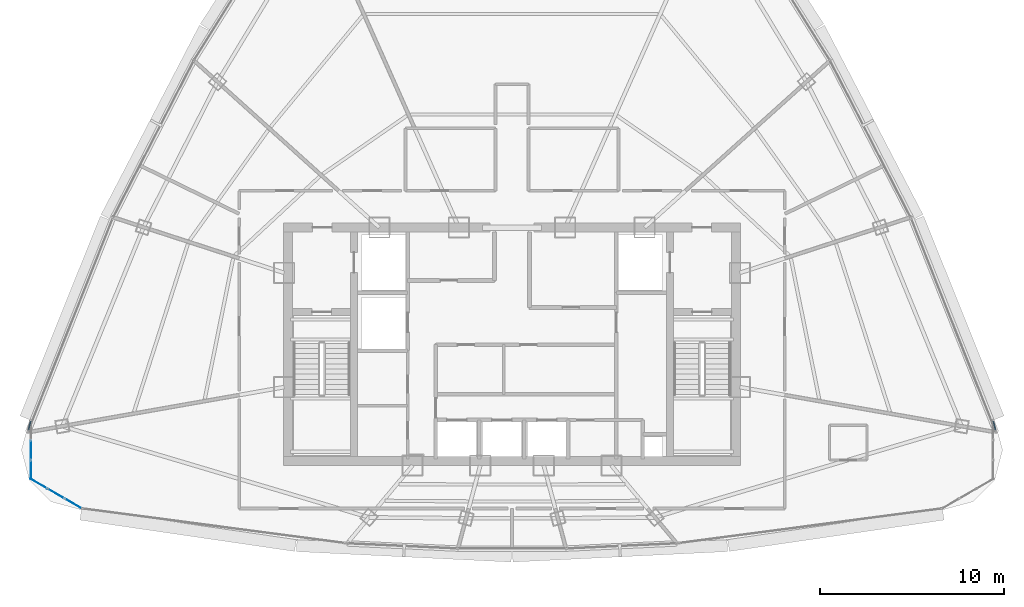
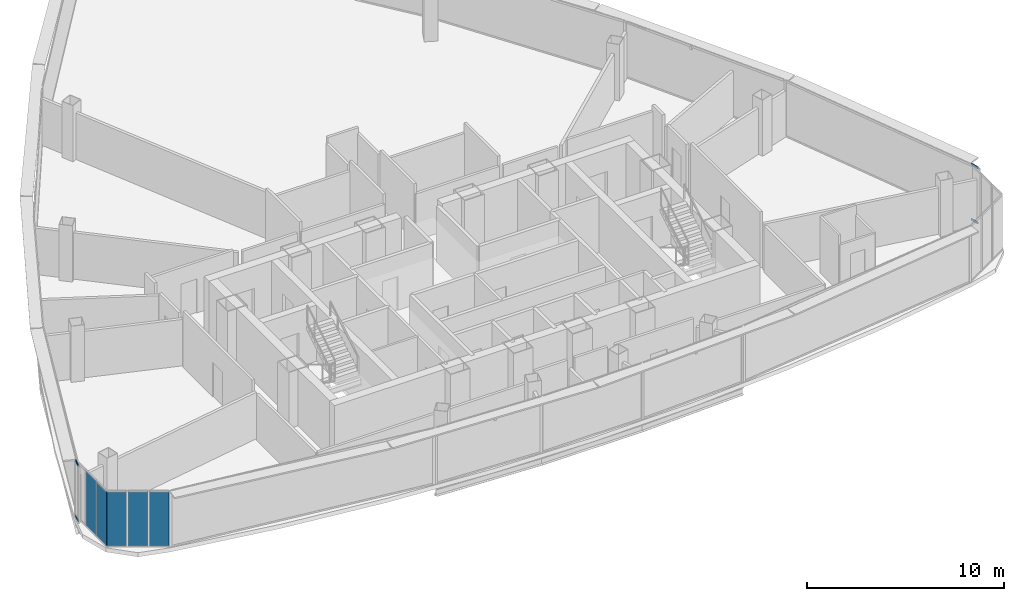
# One storey, part 20 of 29: 5 plates, 4 members, 4 elements without a shape of their own.
"""IFC4 building model written with IfcOpenShell, lengths in metres."""

import ifcopenshell
import ifcopenshell.guid

model = None  # the IFC model being written
_history = None  # IfcOwnerHistory: only IFC2X3 demands one
_inside = {}  # id of a spatial element -> (the spatial element, [elements in it])
_under = {}  # id of a project, library or spatial element -> (it, [spatial elements below it])
_declared = {}  # id of a project -> (the project, [libraries it declares])
_typed = {}  # id of a type object -> (the type object, [elements of that type])
_made_of = {}  # id of a material, layer set ... -> (it, [elements and type objects made of it])


def new_model(schema):
    """Start an empty IFC model of exactly this schema.

    Asked for "IFC4X3", IfcOpenShell would pick the latest addendum, in which some entities
    have other attributes; the version numbers below select the first issue.
    IFC2X3 requires an IfcOwnerHistory on every rooted entity: one is made here for all.
    """
    global model, _history
    if schema == "IFC4X3":
        model = ifcopenshell.file(schema_version=(4, 3, 0, 0))
    else:
        model = ifcopenshell.file(schema=schema)
    _inside.clear()
    _under.clear()
    _declared.clear()
    _typed.clear()
    _made_of.clear()
    _history = None
    if model.schema == "IFC2X3":
        org = make("IfcOrganization", Name="unknown")
        user = make(
            "IfcPersonAndOrganization",
            ThePerson=make("IfcPerson", FamilyName="unknown"),
            TheOrganization=org,
        )
        app = make(
            "IfcApplication",
            ApplicationDeveloper=org,
            Version="unknown",
            ApplicationFullName="unknown",
            ApplicationIdentifier="unknown",
        )
        _history = make(
            "IfcOwnerHistory",
            OwningUser=user,
            OwningApplication=app,
            ChangeAction="ADDED",
            CreationDate=0,
        )
    return model


def make(cls, **values):
    """One entity of the class cls with the attributes given. An attribute that is None is left unset."""
    return model.create_entity(
        cls, **{name: value for name, value in values.items() if value is not None}
    )


def rooted(cls, **values):
    """An entity with a GlobalId (a new one), such as an element, a storey or a relation."""
    return make(cls, GlobalId=ifcopenshell.guid.new(), OwnerHistory=_history, **values)


def si_unit(unit_type, name, prefix=None):
    """IfcSIUnit, for example si_unit("LENGTHUNIT", "METRE", prefix="MILLI")."""
    return make("IfcSIUnit", UnitType=unit_type, Prefix=prefix, Name=name)


def assignment(units):
    """IfcUnitAssignment: the units of a project."""
    return None if units is None else make("IfcUnitAssignment", Units=units)


def point(xyz):
    """IfcCartesianPoint."""
    return None if xyz is None else make("IfcCartesianPoint", Coordinates=xyz)


def direction(xyz):
    """IfcDirection."""
    return None if xyz is None else make("IfcDirection", DirectionRatios=xyz)


def frame(location, z_axis=None, x_axis=None):
    """IfcAxis2Placement3D, a coordinate frame: its origin and axes. An axis left out is left unset."""
    return make(
        "IfcAxis2Placement3D",
        Location=point(location),
        Axis=direction(z_axis),
        RefDirection=direction(x_axis),
    )


def frame_2d(location, x_axis=None):
    """IfcAxis2Placement2D, a coordinate frame in the plane: its origin and x axis."""
    return make(
        "IfcAxis2Placement2D", Location=point(location), RefDirection=direction(x_axis)
    )


def origin():
    """The frame at (0, 0, 0) with its axes left unset."""
    return frame((0.0, 0.0, 0.0))


def origin_2d():
    """The frame at (0, 0) in the plane with its x axis left unset."""
    return frame_2d((0.0, 0.0))


def place(relative_to, where):
    """IfcLocalPlacement: puts the frame where relative to a parent placement (None: the world)."""
    return make(
        "IfcLocalPlacement", PlacementRelTo=relative_to, RelativePlacement=where
    )


def context(
    kind, dimensions, precision=None, world=None, true_north=None, identifier=None
):
    """IfcGeometricRepresentationContext, for example the 3D "Model" context."""
    return make(
        "IfcGeometricRepresentationContext",
        ContextIdentifier=identifier,
        ContextType=kind,
        CoordinateSpaceDimension=dimensions,
        Precision=precision,
        WorldCoordinateSystem=world,
        TrueNorth=true_north,
    )


def subcontext(parent, identifier, kind, view, scale=None):
    """IfcGeometricRepresentationSubContext, for example "Body" below "Model"."""
    return make(
        "IfcGeometricRepresentationSubContext",
        ContextIdentifier=identifier,
        ContextType=kind,
        ParentContext=parent,
        TargetScale=scale,
        TargetView=view,
    )


def project(units=None, contexts=None):
    """IfcProject with its units and contexts."""
    return rooted(
        "IfcProject",
        Name="project",
        RepresentationContexts=contexts,
        UnitsInContext=assignment(units),
    )


def spatial(cls, under=None, at=None, **own):
    """A site, building, storey or space (cls), placed at a placement, below another one or the project."""
    s = rooted(cls, ObjectPlacement=at, **own)
    if under is not None:
        _under.setdefault(under.id(), (under, []))[1].append(s)
    return s


def profile(cls, at=None, kind="AREA", **sizes):
    """A parametric profile (cls). Its sizes go by their IFC names, for example OverallWidth=200.0."""
    return make(cls, ProfileType=kind, Position=at, **sizes)


def rectangle(**sizes):
    """IfcRectangleProfileDef."""
    return profile("IfcRectangleProfileDef", **sizes)


def hollow_rectangle(**sizes):
    """IfcRectangleHollowProfileDef."""
    return profile("IfcRectangleHollowProfileDef", **sizes)


def extrude(swept, where, along, depth):
    """IfcExtrudedAreaSolid: the profile swept, set in the frame where, extruded along a direction by depth."""
    return make(
        "IfcExtrudedAreaSolid",
        SweptArea=swept,
        Position=where,
        ExtrudedDirection=direction(along),
        Depth=depth,
    )


def shape(context_of_items, identifier, shape_type, items):
    """IfcShapeRepresentation: the items that make up one representation, for example the "Body"."""
    return make(
        "IfcShapeRepresentation",
        ContextOfItems=context_of_items,
        RepresentationIdentifier=identifier,
        RepresentationType=shape_type,
        Items=items,
    )


def source(mapping_origin, context_of_items, identifier, shape_type, items):
    """IfcRepresentationMap: a shape defined once, which mapped items show again and again."""
    return make(
        "IfcRepresentationMap",
        MappingOrigin=mapping_origin,
        MappedRepresentation=shape(context_of_items, identifier, shape_type, items),
    )


def transform(
    local_origin,
    x_axis=None,
    y_axis=None,
    z_axis=None,
    scale=None,
    scale2=None,
    scale3=None,
    uniform=True,
):
    """IfcCartesianTransformationOperator3D, or its non-uniform kind. x_axis, y_axis, z_axis: its Axis1, 2, 3."""
    if uniform:
        return make(
            "IfcCartesianTransformationOperator3D",
            Axis1=direction(x_axis),
            Axis2=direction(y_axis),
            LocalOrigin=point(local_origin),
            Scale=scale,
            Axis3=direction(z_axis),
        )
    return make(
        "IfcCartesianTransformationOperator3DnonUniform",
        Axis1=direction(x_axis),
        Axis2=direction(y_axis),
        LocalOrigin=point(local_origin),
        Scale=scale,
        Axis3=direction(z_axis),
        Scale2=scale2,
        Scale3=scale3,
    )


def mapped(mapping_source, mapping_target):
    """IfcMappedItem: shows the shape of a source again, moved by a transform."""
    return make(
        "IfcMappedItem", MappingSource=mapping_source, MappingTarget=mapping_target
    )


def material(Name=None, Category=None):
    """IfcMaterial."""
    return make("IfcMaterial", Name=Name, Category=Category)


def layer(
    of_material, thickness, ventilated=None, Name=None, Category=None, Priority=None
):
    """IfcMaterialLayer: one layer of a wall or slab, of a material (None: an air gap)."""
    return make(
        "IfcMaterialLayer",
        Material=of_material,
        LayerThickness=thickness,
        IsVentilated=ventilated,
        Name=Name,
        Category=Category,
        Priority=Priority,
    )


def layer_set(layers, Name=None):
    """IfcMaterialLayerSet."""
    return make("IfcMaterialLayerSet", MaterialLayers=layers, LayerSetName=Name)


def material_profile(
    of_material, cross_section, Name=None, Category=None, Priority=None
):
    """IfcMaterialProfile: a cross section and its material."""
    return make(
        "IfcMaterialProfile",
        Name=Name,
        Material=of_material,
        Profile=cross_section,
        Priority=Priority,
        Category=Category,
    )


def profile_set(profiles, Name=None, composite=None):
    """IfcMaterialProfileSet."""
    return make(
        "IfcMaterialProfileSet",
        Name=Name,
        MaterialProfiles=profiles,
        CompositeProfile=composite,
    )


def made_of(thing, what):
    """Note that an element or type object is made of a material, layer set ...; save() writes the relation."""
    if what is not None:
        _made_of.setdefault(what.id(), (what, []))[1].append(thing)
    return thing


def type_object(cls, material=None, **own):
    """A type object (cls), such as IfcWallType, which elements share."""
    return made_of(rooted(cls, **own), material)


def element(
    cls,
    number,
    at=None,
    inside=None,
    cuts=None,
    type_object=None,
    material=None,
    context=None,
    identifier="Body",
    shape_type=None,
    held_by="IfcProductDefinitionShape",
    body=None,
    shapes=None,
    **own,
):
    """One element of the class cls, such as IfcWall. Its Tag is "e" and its number.

    at: its placement. inside: the storey or other place that contains it. cuts: it is an
    opening in that element (IfcRelVoidsElement). A single representation is given by context,
    identifier, shape_type and body (its items); several are given by shapes. held_by: the class
    of the entity that holds the representations. save() writes the other relations.
    """
    e = rooted(cls, Tag="e%d" % number, ObjectPlacement=at, **own)
    if body is not None:
        shapes = [shape(context, identifier, shape_type, body)]
    if shapes is not None:
        e.Representation = make(held_by, Representations=shapes)
    if inside is not None:
        _inside.setdefault(inside.id(), (inside, []))[1].append(e)
    if cuts is not None:
        rooted(
            "IfcRelVoidsElement", RelatingBuildingElement=cuts, RelatedOpeningElement=e
        )
    if type_object is not None:
        _typed.setdefault(type_object.id(), (type_object, []))[1].append(e)
    return made_of(e, material)


def aggregate(whole, parts):
    """IfcRelAggregates: a whole, such as a stair, and the parts it consists of."""
    return rooted("IfcRelAggregates", RelatingObject=whole, RelatedObjects=parts)


def save(model, path):
    """Write the relations noted so far, then the file.

    IfcRelAggregates (storeys below a building ...), IfcRelContainedInSpatialStructure (elements
    in a storey), IfcRelDefinesByType, IfcRelAssociatesMaterial and IfcRelDeclares: one each for
    every whole, place, type object, material and project.
    """
    for whole, parts in _under.values():
        aggregate(whole, parts)
    for where, things in _inside.values():
        rooted(
            "IfcRelContainedInSpatialStructure",
            RelatedElements=things,
            RelatingStructure=where,
        )
    for kind, things in _typed.values():
        rooted("IfcRelDefinesByType", RelatedObjects=things, RelatingType=kind)
    for what, things in _made_of.values():
        rooted("IfcRelAssociatesMaterial", RelatedObjects=things, RelatingMaterial=what)
    for by, libraries in _declared.values():
        rooted("IfcRelDeclares", RelatingContext=by, RelatedDefinitions=libraries)
    model.write(path)


model = new_model("IFC4")

# Units and contexts
model_context = context("Model", 3, precision=1e-05, world=origin(), true_north=direction((0.0, 1.0)))
body_context = subcontext(model_context, "Body", "Model", "MODEL_VIEW")
ifc_project = project(units=[si_unit("LENGTHUNIT", "METRE"), si_unit("AREAUNIT", "SQUARE_METRE"), si_unit("VOLUMEUNIT", "CUBIC_METRE"), si_unit("PLANEANGLEUNIT", "RADIAN"), si_unit("MASSUNIT", "GRAM", prefix="KILO"), si_unit("THERMODYNAMICTEMPERATUREUNIT", "KELVIN"), si_unit("POWERUNIT", "WATT")], contexts=[model_context])

# Site, building, storey
site_placement = place(None, origin())
site = spatial("IfcSite", under=ifc_project, at=site_placement, CompositionType="ELEMENT")
building_placement = place(site_placement, origin())
building = spatial("IfcBuilding", under=site, at=building_placement, Name="Yunzhuo Pagoda Commons", CompositionType="ELEMENT")
storey_placement = place(building_placement, frame((0.0, 0.0, 363.010009765625)))
storey = spatial("IfcBuildingStorey", under=building, at=storey_placement, Name="L91", CompositionType="ELEMENT", Elevation=363.010009765625)

# Curtain wall, members
ifc_material_1 = material(Name="Anodized aluminium 6063-T6", Category="aluminium")
ifc_layer_1 = layer(ifc_material_1, 0.139892578125)
ifc_layer_set_1 = layer_set([ifc_layer_1], Name="Anodized aluminium 6063-T6")
curtain_wall_type_1 = type_object("IfcCurtainWallType", Name="CW-HI High-Zone Ribbon Curtain Wall", PredefinedType="NOTDEFINED", material=ifc_layer_set_1)
curtain_wall_1_placement = place(storey_placement, origin())
curtain_wall_1 = element("IfcCurtainWall", 1, at=curtain_wall_1_placement, inside=storey, type_object=curtain_wall_type_1, Name="L91 curtain wall CW-L91-F2B1", PredefinedType="NOTDEFINED")
ifc_material_profile = material_profile(ifc_material_1, hollow_rectangle(XDim=0.054931640625, YDim=0.1201171875, WallThickness=0.00341796875, at=origin_2d()), Name="Anodized aluminium 6063-T6")
ifc_profile_set = profile_set([ifc_material_profile], Name="Anodized aluminium 6063-T6")
member_type = type_object("IfcMemberType", Name="CW-HI-T Transom RHS 120x55x3.5", PredefinedType="USERDEFINED", material=ifc_profile_set)
shared_shape_1 = source(origin(), body_context, "Body", "SweptSolid", [
    extrude(hollow_rectangle(XDim=0.054931640625, YDim=0.1201171875, WallThickness=0.00341796875, at=origin_2d()), origin(), (0.0, 0.0, 1.0), 0.4892578125),
])
member_1_placement = place(storey_placement, frame((74.196044921875, 29.659423828125, 0.027587890625), z_axis=(0.244531285376, -0.969641403031, 0.0), x_axis=(0.969641403031, 0.244531285376, 0.0)))
member_1 = element("IfcMember", 2, at=member_1_placement, type_object=member_type, Name="CW transom 1.1", ObjectType="TRANSOM", PredefinedType="USERDEFINED", context=body_context, shape_type="MappedRepresentation", body=[
    mapped(shared_shape_1, transform((0.0, 0.0, 0.0), scale=1.0)),
])
member_2_placement = place(storey_placement, frame((74.196044921875, 29.659423828125, 3.4423828125), z_axis=(0.244531285376, -0.969641403031, 0.0), x_axis=(0.969641403031, 0.244531285376, 0.0)))
member_2 = element("IfcMember", 3, at=member_2_placement, type_object=member_type, Name="CW transom 1.2", ObjectType="TRANSOM", PredefinedType="USERDEFINED", context=body_context, shape_type="MappedRepresentation", body=[
    mapped(shared_shape_1, transform((0.0, 0.0, 0.0), scale=1.0)),
])
aggregate(curtain_wall_1, [member_1, member_2])

curtain_wall_2_placement = place(storey_placement, origin())
curtain_wall_2 = element("IfcCurtainWall", 4, at=curtain_wall_2_placement, inside=storey, type_object=curtain_wall_type_1, Name="L91 curtain wall CW-L91-F3B5", PredefinedType="NOTDEFINED")
member_3_placement = place(storey_placement, frame((21.684326171875, 29.18505859375, 0.027587890625), z_axis=(0.244531285376, 0.969641403031, 0.0), x_axis=(-0.969641403031, 0.244531285376, 0.0)))
member_3 = element("IfcMember", 5, at=member_3_placement, type_object=member_type, Name="CW transom 1.1", ObjectType="TRANSOM", PredefinedType="USERDEFINED", context=body_context, shape_type="MappedRepresentation", body=[
    mapped(shared_shape_1, transform((0.0, 0.0, 0.0), scale=1.0)),
])
member_4_placement = place(storey_placement, frame((21.684326171875, 29.18505859375, 3.4423828125), z_axis=(0.244531285376, 0.969641403031, 0.0), x_axis=(-0.969641403031, 0.244531285376, 0.0)))
member_4 = element("IfcMember", 6, at=member_4_placement, type_object=member_type, Name="CW transom 1.2", ObjectType="TRANSOM", PredefinedType="USERDEFINED", context=body_context, shape_type="MappedRepresentation", body=[
    mapped(shared_shape_1, transform((0.0, 0.0, 0.0), scale=1.0)),
])
aggregate(curtain_wall_2, [member_3, member_4])

# Curtain wall, plate
ifc_layer_2 = layer(ifc_material_1, 0.1298828125)
ifc_layer_set_2 = layer_set([ifc_layer_2], Name="Anodized aluminium 6063-T6")
curtain_wall_type_2 = type_object("IfcCurtainWallType", Name="CW-VTX Rounded Corner Curtain Wall", PredefinedType="NOTDEFINED", material=ifc_layer_set_2)
curtain_wall_3_placement = place(storey_placement, origin())
curtain_wall_3 = element("IfcCurtainWall", 7, at=curtain_wall_3_placement, inside=storey, type_object=curtain_wall_type_2, Name="L91 curtain wall CW-L91-VTX1S1", PredefinedType="NOTDEFINED")
ifc_material_2 = material(Name="Tempered low-e double glazing", Category="glass")
ifc_layer_3 = layer(ifc_material_2, 0.02587890625)
ifc_layer_set_3 = layer_set([ifc_layer_3], Name="Tempered low-e double glazing")
plate_type = type_object("IfcPlateType", Name="CW-VTX-P Low-E Double Glazing 26", PredefinedType="CURTAIN_PANEL", material=ifc_layer_set_3)
shared_shape_2 = source(origin(), body_context, "Body", "SweptSolid", [
    extrude(rectangle(XDim=1.001220703125, YDim=0.028076171875, at=origin_2d()), origin(), (0.0, 0.0, 1.0), 3.360107421875),
])
plate_1_placement = place(storey_placement, frame((21.808837890625, 27.02197265625, 0.05517578125), z_axis=(0.0, 0.0, 1.0), x_axis=(-0.003598647958, -0.999993524845, 0.0)))
plate_1 = element("IfcPlate", 8, at=plate_1_placement, type_object=plate_type, Name="CW panel 3.1", PredefinedType="CURTAIN_PANEL", context=body_context, shape_type="MappedRepresentation", body=[
    mapped(shared_shape_2, transform((0.0, 0.0, 0.0), scale=1.0)),
])

# Curtain wall, plates
curtain_wall_4_placement = place(storey_placement, origin())
curtain_wall_4 = element("IfcCurtainWall", 9, at=curtain_wall_4_placement, inside=storey, type_object=curtain_wall_type_2, Name="L91 curtain wall CW-L91-VTX1S2", PredefinedType="NOTDEFINED")
plate_2_placement = place(storey_placement, frame((22.247802734375, 26.25732421875, 0.05517578125), z_axis=(0.0, 0.0, 1.0), x_axis=(0.865437516394, -0.501016871191, 0.0)))
plate_2 = element("IfcPlate", 10, at=plate_2_placement, type_object=plate_type, Name="CW panel 1.1", PredefinedType="CURTAIN_PANEL", context=body_context, shape_type="MappedRepresentation", body=[
    mapped(shared_shape_2, transform((0.0, 0.0, 0.0), scale=1.0)),
])
plate_3_placement = place(storey_placement, frame((24.099853515625, 25.185302734375, 0.05517578125), z_axis=(0.0, 0.0, 1.0), x_axis=(0.865437516394, -0.501016871191, 0.0)))
plate_3 = element("IfcPlate", 11, at=plate_3_placement, type_object=plate_type, Name="CW panel 3.1", PredefinedType="CURTAIN_PANEL", context=body_context, shape_type="MappedRepresentation", body=[
    mapped(shared_shape_2, transform((0.0, 0.0, 0.0), scale=1.0)),
])

# Plate
shared_shape_3 = source(origin(), body_context, "Body", "SweptSolid", [
    extrude(rectangle(XDim=1.02880859375, YDim=0.028076171875, at=origin_2d()), origin(), (0.0, 0.0, 1.0), 3.360107421875),
])
plate_4_placement = place(storey_placement, frame((21.812744140625, 28.091796875, 0.05517578125), z_axis=(0.0, 0.0, 1.0), x_axis=(-0.003598647958, -0.999993524845, 0.0)))
plate_4 = element("IfcPlate", 12, at=plate_4_placement, type_object=plate_type, Name="CW panel 2.1", PredefinedType="CURTAIN_PANEL", context=body_context, shape_type="MappedRepresentation", body=[
    mapped(shared_shape_3, transform((0.0, 0.0, 0.0), scale=1.0)),
])

aggregate(curtain_wall_3, [plate_4, plate_1])

plate_5_placement = place(storey_placement, frame((23.173828125, 25.721435546875, 0.05517578125), z_axis=(0.0, 0.0, 1.0), x_axis=(0.865437516394, -0.501016871191, 0.0)))
plate_5 = element("IfcPlate", 13, at=plate_5_placement, type_object=plate_type, Name="CW panel 2.1", PredefinedType="CURTAIN_PANEL", context=body_context, shape_type="MappedRepresentation", body=[
    mapped(shared_shape_3, transform((0.0, 0.0, 0.0), scale=1.0)),
])

aggregate(curtain_wall_4, [plate_2, plate_5, plate_3])

save(model, "model.ifc")
